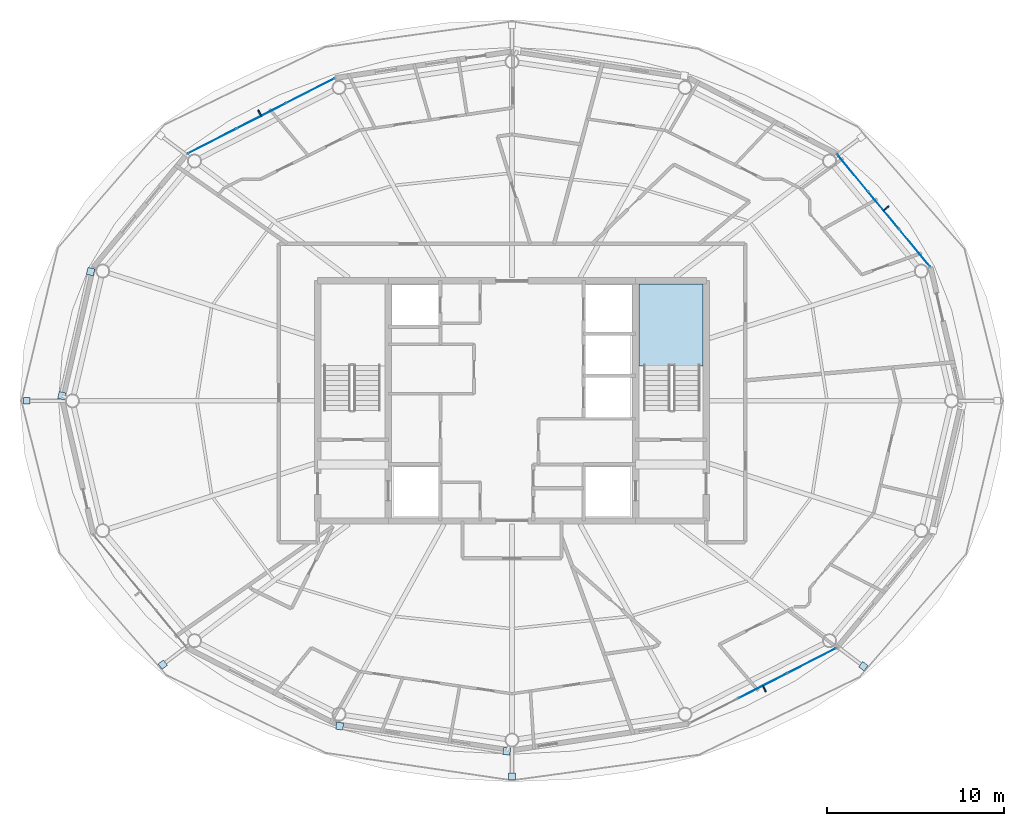
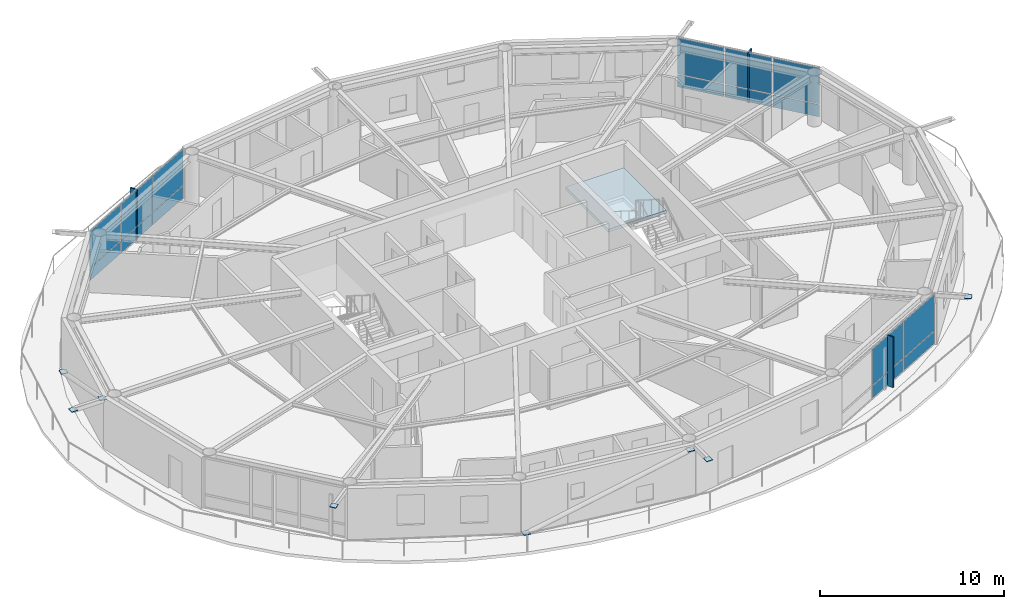
# One storey, part 14 of 23: 27 plates, 1 slab, 4 elements without a shape of their own.
"""IFC4 building model written with IfcOpenShell, lengths in metres."""

from ifc_helpers import new_model, si_unit, direction, frame, origin, origin_2d, place, context, subcontext, project, spatial, polyline, rectangle, outline, extrude, material, layer, layer_set, type_object, element, aggregate, save


model = new_model("IFC4")

# Units and contexts
model_context = context("Model", 3, precision=1e-05, world=origin(), true_north=direction((0.0, 1.0)))
body_context = subcontext(model_context, "Body", "Model", "MODEL_VIEW")
ifc_project = project(units=[si_unit("LENGTHUNIT", "METRE"), si_unit("AREAUNIT", "SQUARE_METRE"), si_unit("VOLUMEUNIT", "CUBIC_METRE"), si_unit("PLANEANGLEUNIT", "RADIAN"), si_unit("MASSUNIT", "GRAM", prefix="KILO")], contexts=[model_context])

# Site, building, storey
site_placement = place(None, origin())
site = spatial("IfcSite", under=ifc_project, at=site_placement, CompositionType="ELEMENT")
building_placement = place(site_placement, origin())
building = spatial("IfcBuilding", under=site, at=building_placement, Name="Sarneth Arch Tower", CompositionType="ELEMENT")
storey_placement = place(building_placement, frame((0.0, 0.0, 280.199951171875)))
storey = spatial("IfcBuildingStorey", under=building, at=storey_placement, Name="L72", CompositionType="ELEMENT", Elevation=280.199951171875)

# Curtain wall, plates
ifc_material_1 = material(Name="Anodised aluminium Type AA25 and solar-control low-e laminated IGU", Category="aluminium")
ifc_layer_1 = layer(ifc_material_1, 0.179931640625)
ifc_layer_set_1 = layer_set([ifc_layer_1], Name="Anodised aluminium Type AA25 and solar-control low-e laminated IGU")
curtain_wall_type = type_object("IfcCurtainWallType", Name="CW-RES-HIGH", PredefinedType="NOTDEFINED", material=ifc_layer_set_1)
curtain_wall_1_placement = place(storey_placement, origin())
curtain_wall_1 = element("IfcCurtainWall", 1, at=curtain_wall_1_placement, inside=storey, type_object=curtain_wall_type, Name="L72 Unitised curtain wall facet 02", PredefinedType="NOTDEFINED")
ifc_material_2 = material(Name="Solar-control low-e laminated IGU", Category="glass")
ifc_layer_2 = layer(ifc_material_2, 0.028076171875)
ifc_layer_set_2 = layer_set([ifc_layer_2], Name="Solar-control low-e laminated IGU")
plate_type_1 = type_object("IfcPlateType", Name="CW-PANEL", PredefinedType="CURTAIN_PANEL", material=ifc_layer_set_2)
plate_1_placement = place(storey_placement, frame((70.799072265625, 50.650634765625, 0.06005859375), z_axis=(0.0, 0.0, 1.0), x_axis=(-0.637610094184, 0.770359245933, 0.0)))
plate_1 = element("IfcPlate", 2, at=plate_1_placement, type_object=plate_type_1, Name="Curtain wall glazed vision pane CW-L72-F02/P00-00", PredefinedType="CURTAIN_PANEL", context=body_context, shape_type="SweptSolid", body=[
    extrude(rectangle(XDim=2.686767578125, YDim=0.028076171875, at=origin_2d()), origin(), (0.0, 0.0, 1.0), 0.81005859375),
])
plate_2_placement = place(storey_placement, frame((70.799072265625, 50.650634765625, 0.93017578125), z_axis=(0.0, 0.0, 1.0), x_axis=(-0.637610094184, 0.770359245933, 0.0)))
plate_2 = element("IfcPlate", 3, at=plate_2_placement, type_object=plate_type_1, Name="Curtain wall glazed vision pane CW-L72-F02/P00-01", PredefinedType="CURTAIN_PANEL", context=body_context, shape_type="SweptSolid", body=[
    extrude(rectangle(XDim=2.686767578125, YDim=0.028076171875, at=origin_2d()), origin(), (0.0, 0.0, 1.0), 2.3798828125),
])
plate_3_placement = place(storey_placement, frame((69.0380859375, 52.778076171875, 0.06005859375), z_axis=(0.0, 0.0, 1.0), x_axis=(-0.637610094184, 0.770359245933, 0.0)))
plate_3 = element("IfcPlate", 4, at=plate_3_placement, type_object=plate_type_1, Name="Curtain wall glazed vision pane CW-L72-F02/P01-00", PredefinedType="CURTAIN_PANEL", context=body_context, shape_type="SweptSolid", body=[
    extrude(rectangle(XDim=2.716552734375, YDim=0.028076171875, at=origin_2d()), origin(), (0.0, 0.0, 1.0), 0.81005859375),
])
plate_4_placement = place(storey_placement, frame((69.0380859375, 52.778076171875, 0.93017578125), z_axis=(0.0, 0.0, 1.0), x_axis=(-0.637610094184, 0.770359245933, 0.0)))
plate_4 = element("IfcPlate", 5, at=plate_4_placement, type_object=plate_type_1, Name="Curtain wall glazed vision pane CW-L72-F02/P01-01", PredefinedType="CURTAIN_PANEL", context=body_context, shape_type="SweptSolid", body=[
    extrude(rectangle(XDim=2.716552734375, YDim=0.028076171875, at=origin_2d()), origin(), (0.0, 0.0, 1.0), 2.3798828125),
])
plate_5_placement = place(storey_placement, frame((67.27734375, 54.905517578125, 0.06005859375), z_axis=(0.0, 0.0, 1.0), x_axis=(-0.637610094184, 0.770359245933, 0.0)))
plate_5 = element("IfcPlate", 6, at=plate_5_placement, type_object=plate_type_1, Name="Curtain wall glazed vision pane CW-L72-F02/P02-00", PredefinedType="CURTAIN_PANEL", context=body_context, shape_type="SweptSolid", body=[
    extrude(rectangle(XDim=2.686767578125, YDim=0.028076171875, at=origin_2d()), origin(), (0.0, 0.0, 1.0), 0.81005859375),
])
plate_6_placement = place(storey_placement, frame((67.27734375, 54.905517578125, 0.93017578125), z_axis=(0.0, 0.0, 1.0), x_axis=(-0.637610094184, 0.770359245933, 0.0)))
plate_6 = element("IfcPlate", 7, at=plate_6_placement, type_object=plate_type_1, Name="Curtain wall glazed vision pane CW-L72-F02/P02-01", PredefinedType="CURTAIN_PANEL", context=body_context, shape_type="SweptSolid", body=[
    extrude(rectangle(XDim=2.686767578125, YDim=0.028076171875, at=origin_2d()), origin(), (0.0, 0.0, 1.0), 2.3798828125),
])
aggregate(curtain_wall_1, [plate_1, plate_2, plate_3, plate_4, plate_5, plate_6])

curtain_wall_2_placement = place(storey_placement, origin())
curtain_wall_2 = element("IfcCurtainWall", 8, at=curtain_wall_2_placement, inside=storey, type_object=curtain_wall_type, Name="L72 Unitised curtain wall facet 06", PredefinedType="NOTDEFINED")
plate_7_placement = place(storey_placement, frame((36.5791015625, 59.552978515625, 0.06005859375), z_axis=(0.0, 0.0, 1.0), x_axis=(-0.890009540525, -0.455941901753, 0.0)))
plate_7 = element("IfcPlate", 9, at=plate_7_placement, type_object=plate_type_1, Name="Curtain wall glazed vision pane CW-L72-F06/P00-00", PredefinedType="CURTAIN_PANEL", context=body_context, shape_type="SweptSolid", body=[
    extrude(rectangle(XDim=3.044677734375, YDim=0.028076171875, at=origin_2d()), origin(), (0.0, 0.0, 1.0), 0.81005859375),
])
plate_8_placement = place(storey_placement, frame((36.5791015625, 59.552978515625, 0.93017578125), z_axis=(0.0, 0.0, 1.0), x_axis=(-0.890009540525, -0.455941901753, 0.0)))
plate_8 = element("IfcPlate", 10, at=plate_8_placement, type_object=plate_type_1, Name="Curtain wall glazed vision pane CW-L72-F06/P00-01", PredefinedType="CURTAIN_PANEL", context=body_context, shape_type="SweptSolid", body=[
    extrude(rectangle(XDim=3.044677734375, YDim=0.028076171875, at=origin_2d()), origin(), (0.0, 0.0, 1.0), 2.3798828125),
])
plate_9_placement = place(storey_placement, frame((33.802490234375, 58.13037109375, 0.06005859375), z_axis=(0.0, 0.0, 1.0), x_axis=(-0.890009540525, -0.455941901753, 0.0)))
plate_9 = element("IfcPlate", 11, at=plate_9_placement, type_object=plate_type_1, Name="Curtain wall glazed vision pane CW-L72-F06/P01-00", PredefinedType="CURTAIN_PANEL", context=body_context, shape_type="SweptSolid", body=[
    extrude(rectangle(XDim=3.07470703125, YDim=0.028076171875, at=origin_2d()), origin(), (0.0, 0.0, 1.0), 0.81005859375),
])
plate_10_placement = place(storey_placement, frame((33.802490234375, 58.13037109375, 0.93017578125), z_axis=(0.0, 0.0, 1.0), x_axis=(-0.890009540525, -0.455941901753, 0.0)))
plate_10 = element("IfcPlate", 12, at=plate_10_placement, type_object=plate_type_1, Name="Curtain wall glazed vision pane CW-L72-F06/P01-01", PredefinedType="CURTAIN_PANEL", context=body_context, shape_type="SweptSolid", body=[
    extrude(rectangle(XDim=3.07470703125, YDim=0.028076171875, at=origin_2d()), origin(), (0.0, 0.0, 1.0), 2.3798828125),
])
plate_11_placement = place(storey_placement, frame((31.02587890625, 56.7080078125, 0.06005859375), z_axis=(0.0, 0.0, 1.0), x_axis=(-0.890009540525, -0.455941901753, 0.0)))
plate_11 = element("IfcPlate", 13, at=plate_11_placement, type_object=plate_type_1, Name="Curtain wall glazed vision pane CW-L72-F06/P02-00", PredefinedType="CURTAIN_PANEL", context=body_context, shape_type="SweptSolid", body=[
    extrude(rectangle(XDim=3.044677734375, YDim=0.028076171875, at=origin_2d()), origin(), (0.0, 0.0, 1.0), 0.81005859375),
])
plate_12_placement = place(storey_placement, frame((31.02587890625, 56.7080078125, 0.93017578125), z_axis=(0.0, 0.0, 1.0), x_axis=(-0.890009540525, -0.455941901753, 0.0)))
plate_12 = element("IfcPlate", 14, at=plate_12_placement, type_object=plate_type_1, Name="Curtain wall glazed vision pane CW-L72-F06/P02-01", PredefinedType="CURTAIN_PANEL", context=body_context, shape_type="SweptSolid", body=[
    extrude(rectangle(XDim=3.044677734375, YDim=0.028076171875, at=origin_2d()), origin(), (0.0, 0.0, 1.0), 2.3798828125),
])
aggregate(curtain_wall_2, [plate_7, plate_8, plate_9, plate_10, plate_11, plate_12])

curtain_wall_3_placement = place(storey_placement, origin())
curtain_wall_3 = element("IfcCurtainWall", 15, at=curtain_wall_3_placement, inside=storey, type_object=curtain_wall_type, Name="L72 Unitised curtain wall facet 14", PredefinedType="NOTDEFINED")
plate_13_placement = place(storey_placement, frame((62.197509765625, 25.86962890625, 0.06005859375), z_axis=(0.0, 0.0, 1.0), x_axis=(0.890009540525, 0.455941901753, 0.0)))
plate_13 = element("IfcPlate", 16, at=plate_13_placement, type_object=plate_type_1, Name="Curtain wall glazed vision pane CW-L72-F14/P01-00", PredefinedType="CURTAIN_PANEL", context=body_context, shape_type="SweptSolid", body=[
    extrude(rectangle(XDim=3.07470703125, YDim=0.028076171875, at=origin_2d()), origin(), (0.0, 0.0, 1.0), 0.81005859375),
])
plate_14_placement = place(storey_placement, frame((62.197509765625, 25.86962890625, 0.93017578125), z_axis=(0.0, 0.0, 1.0), x_axis=(0.890009540525, 0.455941901753, 0.0)))
plate_14 = element("IfcPlate", 17, at=plate_14_placement, type_object=plate_type_1, Name="Curtain wall glazed vision pane CW-L72-F14/P01-01", PredefinedType="CURTAIN_PANEL", context=body_context, shape_type="SweptSolid", body=[
    extrude(rectangle(XDim=3.07470703125, YDim=0.028076171875, at=origin_2d()), origin(), (0.0, 0.0, 1.0), 2.3798828125),
])
plate_15_placement = place(storey_placement, frame((64.97412109375, 27.2919921875, 0.06005859375), z_axis=(0.0, 0.0, 1.0), x_axis=(0.890009540525, 0.455941901753, 0.0)))
plate_15 = element("IfcPlate", 18, at=plate_15_placement, type_object=plate_type_1, Name="Curtain wall glazed vision pane CW-L72-F14/P02-00", PredefinedType="CURTAIN_PANEL", context=body_context, shape_type="SweptSolid", body=[
    extrude(rectangle(XDim=3.044677734375, YDim=0.028076171875, at=origin_2d()), origin(), (0.0, 0.0, 1.0), 0.81005859375),
])
plate_16_placement = place(storey_placement, frame((64.97412109375, 27.2919921875, 0.93017578125), z_axis=(0.0, 0.0, 1.0), x_axis=(0.890009540525, 0.455941901753, 0.0)))
plate_16 = element("IfcPlate", 19, at=plate_16_placement, type_object=plate_type_1, Name="Curtain wall glazed vision pane CW-L72-F14/P02-01", PredefinedType="CURTAIN_PANEL", context=body_context, shape_type="SweptSolid", body=[
    extrude(rectangle(XDim=3.044677734375, YDim=0.028076171875, at=origin_2d()), origin(), (0.0, 0.0, 1.0), 2.3798828125),
])
aggregate(curtain_wall_3, [plate_13, plate_14, plate_15, plate_16])

# Plates
ifc_material_3 = material(Name="Steel S355", Category="steel")
ifc_layer_3 = layer(ifc_material_3, 0.035888671875)
ifc_layer_set_3 = layer_set([ifc_layer_3], Name="Steel S355")
plate_type_2 = type_object("IfcPlateType", Name="PLT-GUSSET-30", PredefinedType="SHEET", material=ifc_layer_set_3)
for number, where, z_axis, x_axis, name in (
    (20, (24.148193359375, 49.3154296875, 0.001953125), (0.0, 0.0, 1.0), (-0.225461202458, -0.974252147129, 0.0), "Steel end cap plate GP-1"),
    (21, (22.5234375, 42.292236328125, 3.07421875), (0.0, 0.0, 1.0), (-0.225461202458, -0.974252147129, 0.0), "Steel end cap plate GP-1"),
):
    element("IfcPlate", number, at=place(storey_placement, frame(where, z_axis=z_axis, x_axis=x_axis)), inside=storey, type_object=plate_type_2, Name=name, PredefinedType="SHEET", context=body_context, shape_type="SweptSolid", body=[
        extrude(rectangle(XDim=0.404052734375, YDim=0.404052734375, at=origin_2d()), origin(), (0.0, 0.0, 1.0), 0.035888671875),
    ])
for number, where, z_axis, x_axis, name in (
    (22, (20.52734375, 42.0, 3.19189453125), (0.0, 0.0, 1.0), (-1.0, 0.0, 0.0), "Steel end cap plate GP-1"),
    (23, (28.22998046875, 27.06787109375, 3.19189453125), (0.0, 0.0, 1.0), (-0.798004853043, -0.602651022168, 0.0), "Steel end cap plate GP-1"),
):
    element("IfcPlate", number, at=place(storey_placement, frame(where, z_axis=z_axis, x_axis=x_axis)), inside=storey, type_object=plate_type_2, Name=name, PredefinedType="SHEET", context=body_context, shape_type="SweptSolid", body=[
        extrude(rectangle(XDim=0.3798828125, YDim=0.3798828125, at=origin_2d()), origin(), (0.0, 0.0, 1.0), 0.035888671875),
    ])
for number, where, z_axis, x_axis, name in (
    (24, (38.245849609375, 23.588623046875, 0.001953125), (0.0, 0.0, 1.0), (0.988860535448, -0.148845024885, 0.0), "Steel end cap plate GP-1"),
    (25, (47.703369140625, 22.16455078125, 3.07421875), (0.0, 0.0, 1.0), (0.988860535448, -0.148845024885, 0.0), "Steel end cap plate GP-1"),
):
    element("IfcPlate", number, at=place(storey_placement, frame(where, z_axis=z_axis, x_axis=x_axis)), inside=storey, type_object=plate_type_2, Name=name, PredefinedType="SHEET", context=body_context, shape_type="SweptSolid", body=[
        extrude(rectangle(XDim=0.404052734375, YDim=0.404052734375, at=origin_2d()), origin(), (0.0, 0.0, 1.0), 0.035888671875),
    ])
for number, where, z_axis, x_axis, name in (
    (26, (48.0, 20.7392578125, 3.19189453125), (0.0, 0.0, 1.0), (0.0, -1.0, 0.0), "Steel end cap plate GP-1"),
    (27, (67.890869140625, 26.9765625, 3.19189453125), (0.0, 0.0, 1.0), (0.798004853043, -0.602651022168, 0.0), "Steel end cap plate GP-1"),
):
    element("IfcPlate", number, at=place(storey_placement, frame(where, z_axis=z_axis, x_axis=x_axis)), inside=storey, type_object=plate_type_2, Name=name, PredefinedType="SHEET", context=body_context, shape_type="SweptSolid", body=[
        extrude(rectangle(XDim=0.3798828125, YDim=0.3798828125, at=origin_2d()), origin(), (0.0, 0.0, 1.0), 0.035888671875),
    ])
ifc_material_4 = material(Name="Extruded glazed terracotta baguette fin on Aluminium 6063-T6 carrier", Category="masonry")
ifc_layer_4 = layer(ifc_material_4, 0.080078125)
ifc_layer_set_4 = layer_set([ifc_layer_4], Name="Extruded glazed terracotta baguette fin on Aluminium 6063-T6 carrier")
plate_type_3 = type_object("IfcPlateType", Name="SHADE-TERRA-FIN", PredefinedType="SHEET", material=ifc_layer_set_4)
for number, where, z_axis, x_axis, name in (
    (28, (69.169189453125, 52.886474609375, 0.010009765625), (0.0, 0.0, 1.0), (0.770401979567, 0.63755845997, 0.0), "L72 Terracotta vertical shading fin 02"),
    (29, (33.724853515625, 58.28173828125, 0.010009765625), (0.0, 0.0, 1.0), (-0.456010959102, 0.889974159838, 0.0), "L72 Terracotta vertical shading fin 06"),
    (30, (62.275146484375, 25.71826171875, 0.010009765625), (0.0, 0.0, 1.0), (0.456010959102, -0.889974159838, 0.0), "L72 Terracotta vertical shading fin 14"),
):
    element("IfcPlate", number, at=place(storey_placement, frame(where, z_axis=z_axis, x_axis=x_axis)), inside=storey, type_object=plate_type_3, Name=name, PredefinedType="SHEET", context=body_context, shape_type="SweptSolid", body=[
        extrude(rectangle(XDim=0.419921875, YDim=0.080078125, at=origin_2d()), origin(), (0.0, 0.0, 1.0), 3.35009765625),
    ])

# Stair, slab
ifc_material_5 = material(Name="Concrete C50/60", Category="concrete")
stair_type = type_object("IfcStairType", Name="STAIR-CORE-RC", PredefinedType="HALF_TURN_STAIR", material=ifc_material_5)
stair_placement = place(storey_placement, origin())
stair = element("IfcStair", 31, at=stair_placement, inside=storey, type_object=stair_type, Name="L72 Core Exit Stair 2", PredefinedType="HALF_TURN_STAIR")
ifc_material_6 = material(Name="Concrete C50/60", Category="concrete")
ifc_layer_5 = layer(ifc_material_6, 0.199951171875)
ifc_layer_set_5 = layer_set([ifc_layer_5], Name="Concrete C50/60")
slab_type = type_object("IfcSlabType", Name="SLAB-LANDING-200", PredefinedType="LANDING", material=ifc_layer_set_5)
slab_placement = place(storey_placement, frame((0.0, 0.0, 1.60009765625)))
slab = element("IfcSlab", 32, at=slab_placement, type_object=slab_type, Name="ST-2 landing 1", PredefinedType="LANDING", context=body_context, shape_type="SweptSolid", body=[
    extrude(outline(polyline([(55.175048828125, 43.985107421875), (58.824951171875, 43.985107421875), (58.824951171875, 48.625), (55.175048828125, 48.625), (55.175048828125, 43.985107421875)])), origin(), (0.0, 0.0, 1.0), 0.199951171875),
])
aggregate(stair, [slab])

save(model, "model.ifc")
